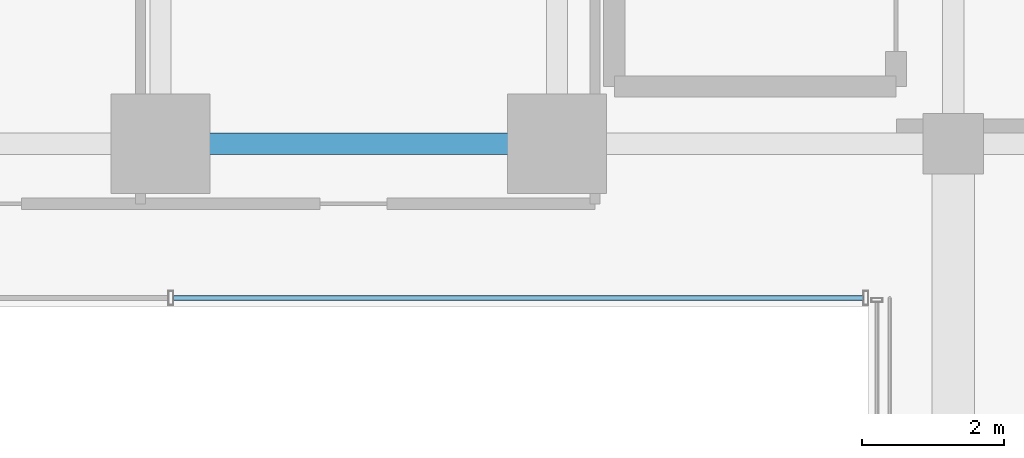
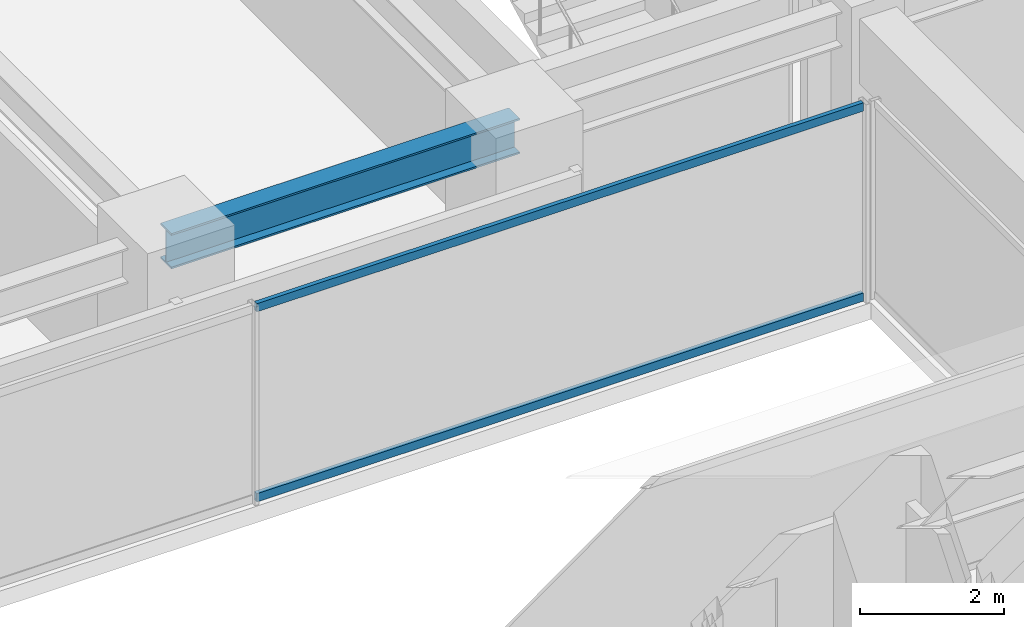
# One storey, part 14 of 42: 2 members, 1 beam, 1 element without a shape of its own.
"""IFC4 building model written with IfcOpenShell, lengths in metres."""

from ifc_helpers import new_model, si_unit, direction, frame, origin, origin_2d, place, context, subcontext, project, spatial, hollow_rectangle, i_section, extrude, source, transform, mapped, material, material_profile, profile_set, type_object, element, aggregate, save


model = new_model("IFC4")

# Units and contexts
model_context = context("Model", 3, precision=1e-05, world=origin(), true_north=direction((0.0, 1.0)))
body_context = subcontext(model_context, "Body", "Model", "MODEL_VIEW")
ifc_project = project(units=[si_unit("LENGTHUNIT", "METRE"), si_unit("AREAUNIT", "SQUARE_METRE"), si_unit("VOLUMEUNIT", "CUBIC_METRE"), si_unit("PLANEANGLEUNIT", "RADIAN"), si_unit("MASSUNIT", "GRAM", prefix="KILO")], contexts=[model_context])

# Site, building, storey
site_placement = place(None, origin())
site = spatial("IfcSite", under=ifc_project, at=site_placement, CompositionType="ELEMENT")
building_placement = place(site_placement, origin())
building = spatial("IfcBuilding", under=site, at=building_placement, Name="Nahalor Promenade Grand Hotel", CompositionType="ELEMENT")
storey_placement = place(building_placement, frame((0.0, 0.0, 61.60009765625)))
storey = spatial("IfcBuildingStorey", under=building, at=storey_placement, Name="L14", CompositionType="ELEMENT", Elevation=61.60009765625)

# Beam
ifc_material_1 = material(Name="Steel S355JR", Category="steel")
ifc_material_profile_1 = material_profile(ifc_material_1, i_section(OverallWidth=0.3, OverallDepth=0.6, WebThickness=0.0155, FlangeThickness=0.03, at=origin_2d()), Name="HEB 600")
ifc_profile_set_1 = profile_set([ifc_material_profile_1], Name="Steel S355JR")
beam_type = type_object("IfcBeamType", Name="Beam-Girder-HEB600", PredefinedType="BEAM", material=ifc_profile_set_1)
shared_shape_1 = source(origin(), body_context, "Body", "SweptSolid", [
    extrude(i_section(OverallWidth=0.3, OverallDepth=0.6, WebThickness=0.0155, FlangeThickness=0.03, at=origin_2d()), origin(), (0.0, 0.0, 1.0), 5.60009765625),
])
beam_placement = place(storey_placement, frame((-2.800048828125, 5.39990234375, 3.06982421875), z_axis=(1.0, 0.0, 0.0), x_axis=(0.0, 1.0, 0.0)))
element("IfcBeam", 1, at=beam_placement, inside=storey, type_object=beam_type, Name="BM-L14-GX-2-3", PredefinedType="BEAM", context=body_context, shape_type="MappedRepresentation", body=[
    mapped(shared_shape_1, transform((0.0, 0.0, 0.0), scale=1.0)),
])

# Curtain wall, members
ifc_material_2 = material(Name="Anodised Bronze Aluminium EN AW-6063 T6", Category="aluminium")
curtain_wall_type = type_object("IfcCurtainWallType", Name="CW3 Elliptical-Void Collar Unitised Curtain Wall", PredefinedType="USERDEFINED", material=ifc_material_2)
curtain_wall_placement = place(storey_placement, origin())
curtain_wall = element("IfcCurtainWall", 2, at=curtain_wall_placement, inside=storey, type_object=curtain_wall_type, Name="L14 Curtain Wall CW-L14-VOID-WN1", ObjectType="UNITISED_CURTAIN_WALL", PredefinedType="USERDEFINED")
ifc_material_profile_2 = material_profile(ifc_material_2, hollow_rectangle(XDim=0.07, YDim=0.14, WallThickness=0.004, at=origin_2d()), Name="CWT 70x140x4")
ifc_profile_set_2 = profile_set([ifc_material_profile_2], Name="Anodised Bronze Aluminium EN AW-6063 T6")
member_type = type_object("IfcMemberType", Name="CWT3 Void Collar Transom 70x140", PredefinedType="USERDEFINED", material=ifc_profile_set_2)
shared_shape_2 = source(origin(), body_context, "Body", "SweptSolid", [
    extrude(hollow_rectangle(XDim=0.07, YDim=0.14, WallThickness=0.004, at=origin_2d()), origin(), (0.0, 0.0, 1.0), 9.748291015625),
])
member_1_placement = place(storey_placement, frame((-2.618408203125, 3.219970703125, 0.06982421875), z_axis=(1.0, 0.0, 0.0), x_axis=(0.0, 1.0, 0.0)))
member_1 = element("IfcMember", 3, at=member_1_placement, type_object=member_type, Name="CW-L14-VOID-WN1 Transom 2-0", ObjectType="TRANSOM", PredefinedType="USERDEFINED", context=body_context, shape_type="MappedRepresentation", body=[
    mapped(shared_shape_2, transform((0.0, 0.0, 0.0), scale=1.0)),
])
member_2_placement = place(storey_placement, frame((-2.618408203125, 3.219970703125, 3.2998046875), z_axis=(1.0, 0.0, 0.0), x_axis=(0.0, 1.0, 0.0)))
member_2 = element("IfcMember", 4, at=member_2_placement, type_object=member_type, Name="CW-L14-VOID-WN1 Transom 2-1", ObjectType="TRANSOM", PredefinedType="USERDEFINED", context=body_context, shape_type="MappedRepresentation", body=[
    mapped(shared_shape_2, transform((0.0, 0.0, 0.0), scale=1.0)),
])
aggregate(curtain_wall, [member_1, member_2])

save(model, "model.ifc")
